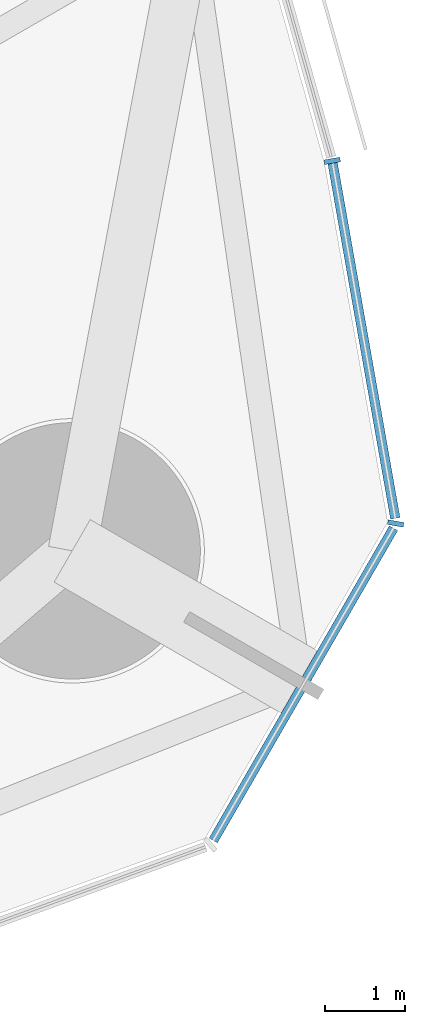
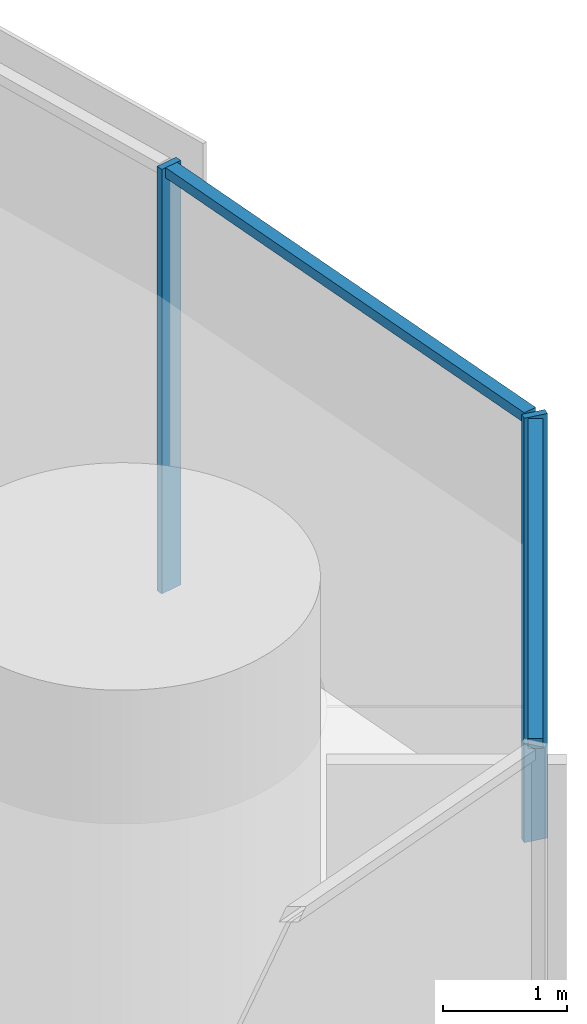
# One storey, part 9 of 20: 4 members, 1 element without a shape of its own.
"""IFC4 building model written with IfcOpenShell, lengths in metres."""

from ifc_helpers import new_model, si_unit, direction, frame, origin, origin_2d, place, context, subcontext, project, spatial, rectangle, extrude, material, material_profile, profile_set, type_object, element, aggregate, save


model = new_model("IFC4")

# Units and contexts
model_context = context("Model", 3, precision=1e-05, world=origin(), true_north=direction((0.0, 1.0)))
body_context = subcontext(model_context, "Body", "Model", "MODEL_VIEW")
ifc_project = project(units=[si_unit("LENGTHUNIT", "METRE"), si_unit("AREAUNIT", "SQUARE_METRE"), si_unit("VOLUMEUNIT", "CUBIC_METRE"), si_unit("PLANEANGLEUNIT", "RADIAN"), si_unit("MASSUNIT", "GRAM", prefix="KILO")], contexts=[model_context])

# Site, building, storey
site_placement = place(None, origin())
site = spatial("IfcSite", under=ifc_project, at=site_placement, CompositionType="ELEMENT")
building_placement = place(site_placement, origin())
building = spatial("IfcBuilding", under=site, at=building_placement, Name="Trefoil Bronze Tower", CompositionType="ELEMENT")
storey_placement = place(building_placement, frame((0.0, 0.0, 210.699951171875)))
storey = spatial("IfcBuildingStorey", under=building, at=storey_placement, Name="L48", CompositionType="ELEMENT", Elevation=210.699951171875)

# Curtain wall, members
ifc_material_1 = material(Name="Tinted solar-control glass", Category="glass")
curtain_wall_type = type_object("IfcCurtainWallType", Name="Bronze rounded corner curtain wall", PredefinedType="USERDEFINED", material=ifc_material_1)
curtain_wall_placement = place(storey_placement, origin())
curtain_wall = element("IfcCurtainWall", 1, at=curtain_wall_placement, inside=storey, type_object=curtain_wall_type, Name="CW-B L48 K1", ObjectType="CURTAIN WALL", PredefinedType="USERDEFINED")
ifc_material_2 = material(Name="Bronze-finish aluminium", Category="aluminium")
ifc_material_profile_1 = material_profile(ifc_material_2, rectangle(XDim=0.199951171875, YDim=0.06005859375, at=origin_2d()), Name="CW-B mullion")
ifc_profile_set_1 = profile_set([ifc_material_profile_1], Name="Bronze-finish aluminium")
member_type_1 = type_object("IfcMemberType", Name="Bronze rounded corner curtain wall mullion", PredefinedType="MULLION", material=ifc_profile_set_1)
member_1_placement = place(storey_placement, frame((32.616943359375, -16.158935546875, 0.0), z_axis=(0.0, 0.0, 1.0), x_axis=(-0.984807753012, 0.173648177667, 0.0)))
member_1 = element("IfcMember", 2, at=member_1_placement, type_object=member_type_1, Name="CW-B L48 K1 mullion 3", PredefinedType="MULLION", context=body_context, shape_type="SweptSolid", body=[
    extrude(rectangle(XDim=0.199951171875, YDim=0.06005859375, at=origin_2d()), origin(), (0.0, 0.0, 1.0), 4.179931640625),
])
member_2_placement = place(storey_placement, frame((31.824951171875, -11.63330078125, 0.0), z_axis=(0.0, 0.0, 1.0), x_axis=(-0.984807753012, -0.173648177667, 0.0)))
member_2 = element("IfcMember", 3, at=member_2_placement, type_object=member_type_1, Name="CW-B L48 K1 mullion 4", PredefinedType="MULLION", context=body_context, shape_type="SweptSolid", body=[
    extrude(rectangle(XDim=0.199951171875, YDim=0.06005859375, at=origin_2d()), origin(), (0.0, 0.0, 1.0), 4.179931640625),
])
ifc_material_3 = material(Name="Bronze-finish aluminium", Category="aluminium")
ifc_material_profile_2 = material_profile(ifc_material_3, rectangle(XDim=0.1201171875, YDim=0.10009765625, at=origin_2d()), Name="CW-B transom")
ifc_profile_set_2 = profile_set([ifc_material_profile_2], Name="Bronze-finish aluminium")
member_type_2 = type_object("IfcMemberType", Name="Bronze rounded corner curtain wall transom", PredefinedType="USERDEFINED", material=ifc_profile_set_2)
member_3_placement = place(storey_placement, frame((30.33984375, -20.114990234375, 4.130126953125), z_axis=(0.500007335828, 0.866021168401, 0.0), x_axis=(-0.866021168401, 0.500007335828, 0.0)))
member_3 = element("IfcMember", 4, at=member_3_placement, type_object=member_type_2, Name="CW-B L48 K1 transom 2", ObjectType="TRANSOM", PredefinedType="USERDEFINED", context=body_context, shape_type="SweptSolid", body=[
    extrude(rectangle(XDim=0.1201171875, YDim=0.10009765625, at=origin_2d()), origin(), (0.0, 0.0, 1.0), 4.50048828125),
])
member_4_placement = place(storey_placement, frame((32.611572265625, -16.0947265625, 4.130126953125), z_axis=(-0.173655350028, 0.984806488304, 0.0), x_axis=(-0.984806488304, -0.173655350028, 0.0)))
member_4 = element("IfcMember", 5, at=member_4_placement, type_object=member_type_2, Name="CW-B L48 K1 transom 3", ObjectType="TRANSOM", PredefinedType="USERDEFINED", context=body_context, shape_type="SweptSolid", body=[
    extrude(rectangle(XDim=0.1201171875, YDim=0.10009765625, at=origin_2d()), origin(), (0.0, 0.0, 1.0), 4.500244140625),
])
aggregate(curtain_wall, [member_1, member_2, member_3, member_4])

save(model, "model.ifc")
